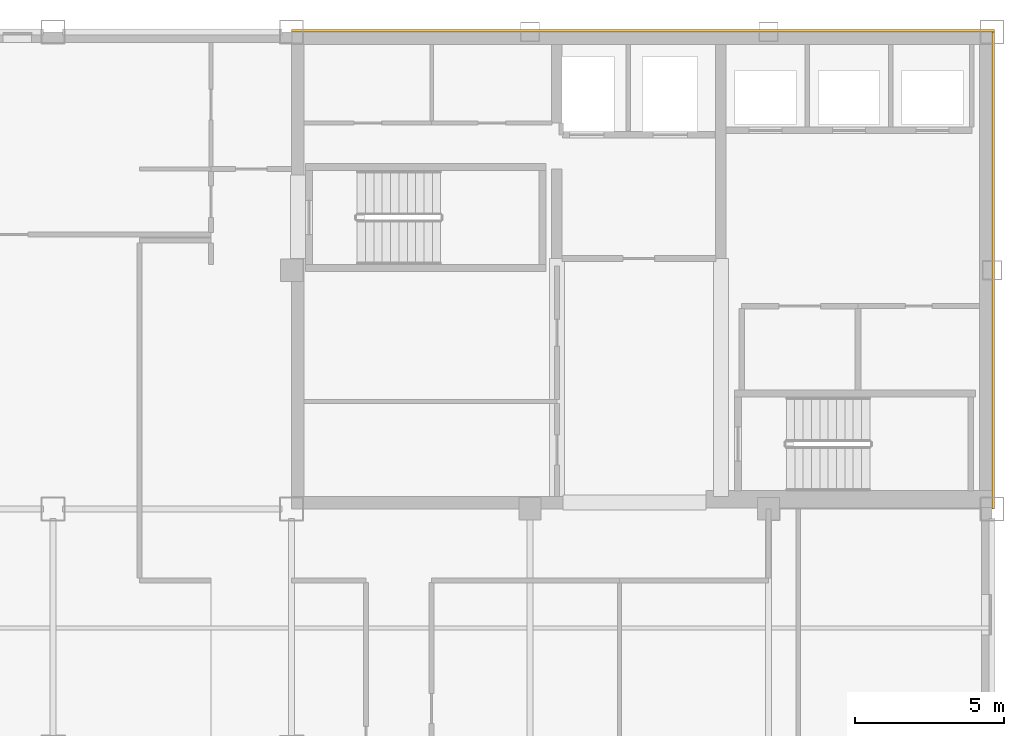
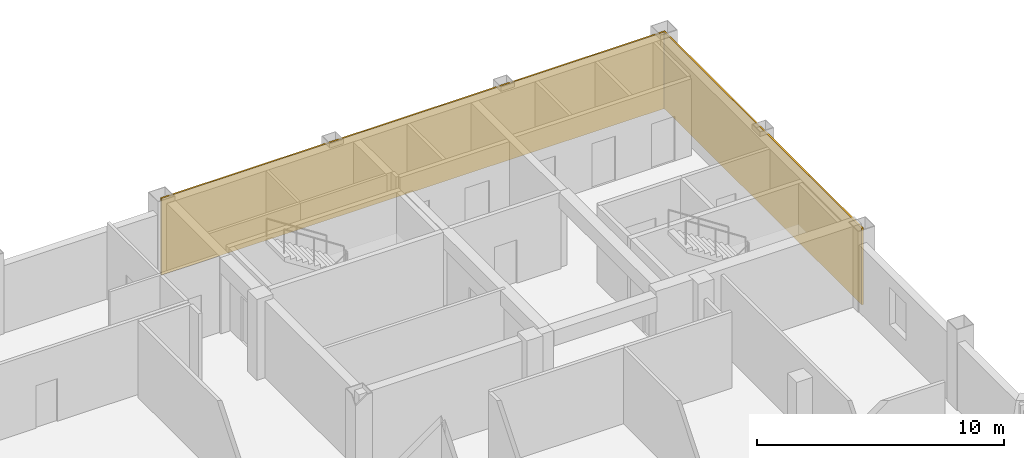
# One storey, part 7 of 7: 2 coverings.
"""IFC4 building model written with IfcOpenShell, lengths in metres."""

from ifc_helpers import new_model, si_unit, direction, frame, origin, origin_2d, place, context, subcontext, project, spatial, rectangle, extrude, material, layer, layer_set, type_object, element, save


model = new_model("IFC4")

# Units and contexts
model_context = context("Model", 3, precision=1e-05, world=origin(), true_north=direction((0.0, 1.0)))
body_context = subcontext(model_context, "Body", "Model", "MODEL_VIEW")
ifc_project = project(units=[si_unit("LENGTHUNIT", "METRE"), si_unit("AREAUNIT", "SQUARE_METRE"), si_unit("VOLUMEUNIT", "CUBIC_METRE"), si_unit("PLANEANGLEUNIT", "RADIAN"), si_unit("MASSUNIT", "GRAM", prefix="KILO")], contexts=[model_context])

# Site, building, storey
site_placement = place(None, origin())
site = spatial("IfcSite", under=ifc_project, at=site_placement, CompositionType="ELEMENT")
building_placement = place(site_placement, origin())
building = spatial("IfcBuilding", under=site, at=building_placement, Name="Qianrong Seaharbour Tower", CompositionType="ELEMENT")
storey_placement = place(building_placement, frame((0.0, 0.0, 331.199951171875)))
storey = spatial("IfcBuildingStorey", under=building, at=storey_placement, Name="L80", CompositionType="ELEMENT", Elevation=331.199951171875)

# Coverings
ifc_material = material(Name="Unitised red brick cladding on Precast concrete C45/55", Category="masonry")
ifc_layer = layer(ifc_material, 0.080078125)
ifc_layer_set = layer_set([ifc_layer], Name="Unitised red brick cladding on Precast concrete C45/55")
covering_type = type_object("IfcCoveringType", Name="COV-CLAD-RED-BRICK-80", PredefinedType="CLADDING", material=ifc_layer_set)
covering_1_placement = place(storey_placement, frame((52.2900390625, 52.0400390625, 0.0), z_axis=(0.0, 0.0, 1.0), x_axis=(1.0, 0.0, 0.0)))
element("IfcCovering", 1, at=covering_1_placement, inside=storey, type_object=covering_type, Name="L80 North Core Brick Veneer Cladding", PredefinedType="CLADDING", context=body_context, shape_type="SweptSolid", body=[
    extrude(rectangle(XDim=23.580078125, YDim=0.080078125, at=origin_2d()), origin(), (0.0, 0.0, 1.0), 3.784912109375),
])
covering_2_placement = place(storey_placement, frame((64.0400390625, 44.0, 0.0), z_axis=(0.0, 0.0, 1.0), x_axis=(1.0, 0.0, 0.0)))
element("IfcCovering", 2, at=covering_2_placement, inside=storey, type_object=covering_type, Name="L80 East Core Brick Veneer Cladding", PredefinedType="CLADDING", context=body_context, shape_type="SweptSolid", body=[
    extrude(rectangle(XDim=0.080078125, YDim=16.0, at=origin_2d()), origin(), (0.0, 0.0, 1.0), 3.784912109375),
])

save(model, "model.ifc")
